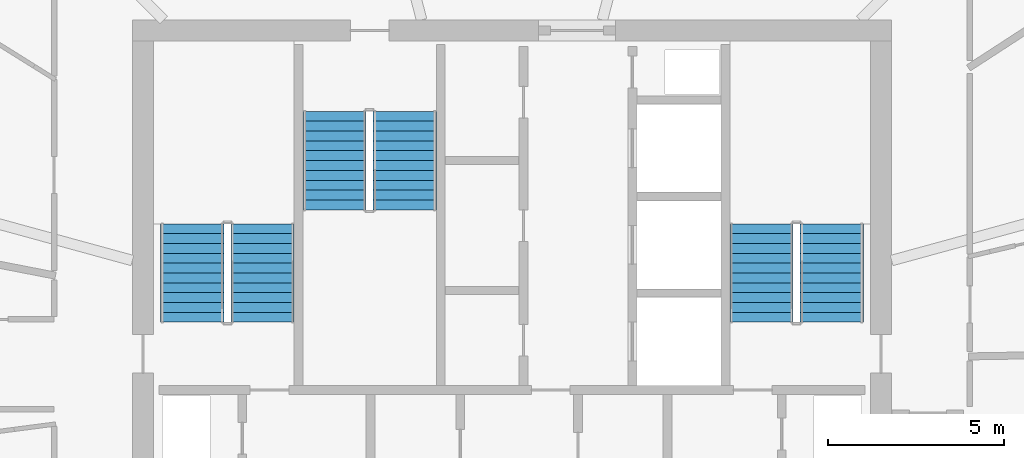
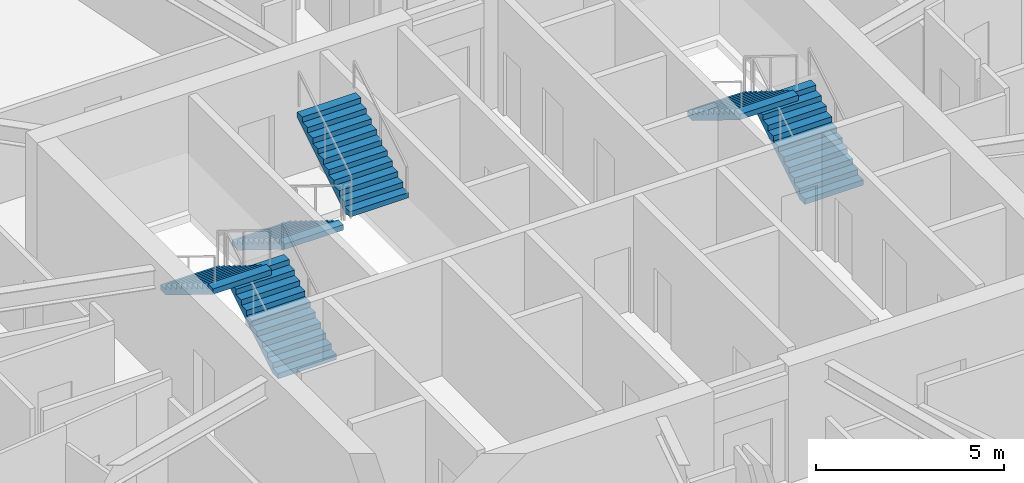
# One storey, part 25 of 29: 6 stair flights, 3 elements without a shape of their own.
"""IFC4 building model written with IfcOpenShell, lengths in metres."""

from ifc_helpers import new_model, si_unit, direction, frame, origin, place, context, subcontext, project, spatial, polyline, outline, extrude, material, type_object, element, aggregate, save


model = new_model("IFC4")

# Units and contexts
model_context = context("Model", 3, precision=1e-05, world=origin(), true_north=direction((0.0, 1.0)))
body_context = subcontext(model_context, "Body", "Model", "MODEL_VIEW")
ifc_project = project(units=[si_unit("LENGTHUNIT", "METRE"), si_unit("AREAUNIT", "SQUARE_METRE"), si_unit("VOLUMEUNIT", "CUBIC_METRE"), si_unit("PLANEANGLEUNIT", "RADIAN"), si_unit("MASSUNIT", "GRAM", prefix="KILO")], contexts=[model_context])

# Site, building, storey
site_placement = place(None, origin())
site = spatial("IfcSite", under=ifc_project, at=site_placement, CompositionType="ELEMENT")
building_placement = place(site_placement, origin())
building = spatial("IfcBuilding", under=site, at=building_placement, Name="Zuhravey Tower", CompositionType="ELEMENT")
storey_placement = place(building_placement, frame((0.0, 0.0, 292.0)))
storey = spatial("IfcBuildingStorey", under=building, at=storey_placement, Name="L74", CompositionType="ELEMENT", Elevation=292.0)

# Stair, stair flights
ifc_material = material(Name="Concrete C40/50", Category="concrete")
stair_type = type_object("IfcStairType", Name="Housing Storey Stair Assembly 3800", PredefinedType="HALF_TURN_STAIR", material=ifc_material)
stair_1_placement = place(storey_placement, origin())
stair_1 = element("IfcStair", 1, at=stair_1_placement, inside=storey, type_object=stair_type, Name="L74 Core Exit Stair ST1", PredefinedType="HALF_TURN_STAIR")
stair_flight_type = type_object("IfcStairFlightType", Name="Housing Storey Stair Flight 3800", PredefinedType="STRAIGHT", material=ifc_material)
stair_flight_1_placement = place(storey_placement, frame((28.89990234375, 33.199951171875, 0.0), z_axis=(0.0, 0.0, 1.0), x_axis=(0.0, 1.0, 0.0)))
stair_flight_1 = element("IfcStairFlight", 2, at=stair_flight_1_placement, type_object=stair_flight_type, Name="ST1 flight 1", NumberOfRisers=11, NumberOfTreads=10, PredefinedType="STRAIGHT", RiserHeight=0.172727273, TreadLength=0.28, context=body_context, shape_type="SweptSolid", body=[
    extrude(outline(polyline([(0.0, 0.0), (0.0, 0.172607421875), (0.280029296875, 0.172607421875), (0.280029296875, 0.345458984375), (0.56005859375, 0.345458984375), (0.56005859375, 0.51806640625), (0.840087890625, 0.51806640625), (0.840087890625, 0.69091796875), (1.1201171875, 0.69091796875), (1.1201171875, 0.863525390625), (1.39990234375, 0.863525390625), (1.39990234375, 1.036376953125), (1.679931640625, 1.036376953125), (1.679931640625, 1.208984375), (1.9599609375, 1.208984375), (1.9599609375, 1.3818359375), (2.239990234375, 1.3818359375), (2.239990234375, 1.554443359375), (2.52001953125, 1.554443359375), (2.52001953125, 1.727294921875), (2.800048828125, 1.727294921875), (2.800048828125, 1.89990234375), (2.800048828125, 1.551025390625), (0.285400390625, 0.0), (0.0, 0.0)])), frame((0.0, 0.89990234375, 0.0), z_axis=(0.0, -1.0, 0.0), x_axis=(1.0, 0.0, 0.0)), (0.0, 0.0, 1.0), 1.800048828125),
])
stair_flight_2_placement = place(storey_placement, frame((26.89990234375, 36.0, 1.89990234375), z_axis=(0.0, 0.0, 1.0), x_axis=(0.0, -1.0, 0.0)))
stair_flight_2 = element("IfcStairFlight", 3, at=stair_flight_2_placement, type_object=stair_flight_type, Name="ST1 flight 2", NumberOfRisers=11, NumberOfTreads=10, PredefinedType="STRAIGHT", RiserHeight=0.172727273, TreadLength=0.28, context=body_context, shape_type="SweptSolid", body=[
    extrude(outline(polyline([(0.0, 0.0), (0.0, 0.172607421875), (0.280029296875, 0.172607421875), (0.280029296875, 0.345458984375), (0.56005859375, 0.345458984375), (0.56005859375, 0.51806640625), (0.840087890625, 0.51806640625), (0.840087890625, 0.69091796875), (1.1201171875, 0.69091796875), (1.1201171875, 0.863525390625), (1.39990234375, 0.863525390625), (1.39990234375, 1.036376953125), (1.679931640625, 1.036376953125), (1.679931640625, 1.208984375), (1.9599609375, 1.208984375), (1.9599609375, 1.3818359375), (2.239990234375, 1.3818359375), (2.239990234375, 1.554443359375), (2.52001953125, 1.554443359375), (2.52001953125, 1.727294921875), (2.800048828125, 1.727294921875), (2.800048828125, 1.89990234375), (2.800048828125, 1.551025390625), (0.285400390625, 0.0), (0.0, 0.0)])), frame((0.0, 0.89990234375, 0.0), z_axis=(0.0, -1.0, 0.0), x_axis=(1.0, 0.0, 0.0)), (0.0, 0.0, 1.0), 1.800048828125),
])
aggregate(stair_1, [stair_flight_1, stair_flight_2])

stair_2_placement = place(storey_placement, origin())
stair_2 = element("IfcStair", 4, at=stair_2_placement, inside=storey, type_object=stair_type, Name="L74 Core Exit Stair ST2", PredefinedType="HALF_TURN_STAIR")
stair_flight_3_placement = place(storey_placement, frame((45.10009765625, 33.199951171875, 0.0), z_axis=(0.0, 0.0, 1.0), x_axis=(0.0, 1.0, 0.0)))
stair_flight_3 = element("IfcStairFlight", 5, at=stair_flight_3_placement, type_object=stair_flight_type, Name="ST2 flight 1", NumberOfRisers=11, NumberOfTreads=10, PredefinedType="STRAIGHT", RiserHeight=0.172727273, TreadLength=0.28, context=body_context, shape_type="SweptSolid", body=[
    extrude(outline(polyline([(0.0, 0.0), (0.0, 0.172607421875), (0.280029296875, 0.172607421875), (0.280029296875, 0.345458984375), (0.56005859375, 0.345458984375), (0.56005859375, 0.51806640625), (0.840087890625, 0.51806640625), (0.840087890625, 0.69091796875), (1.1201171875, 0.69091796875), (1.1201171875, 0.863525390625), (1.39990234375, 0.863525390625), (1.39990234375, 1.036376953125), (1.679931640625, 1.036376953125), (1.679931640625, 1.208984375), (1.9599609375, 1.208984375), (1.9599609375, 1.3818359375), (2.239990234375, 1.3818359375), (2.239990234375, 1.554443359375), (2.52001953125, 1.554443359375), (2.52001953125, 1.727294921875), (2.800048828125, 1.727294921875), (2.800048828125, 1.89990234375), (2.800048828125, 1.551025390625), (0.285400390625, 0.0), (0.0, 0.0)])), frame((0.0, 0.89990234375, 0.0), z_axis=(0.0, -1.0, 0.0), x_axis=(1.0, 0.0, 0.0)), (0.0, 0.0, 1.0), 1.800048828125),
])
stair_flight_4_placement = place(storey_placement, frame((43.10009765625, 36.0, 1.89990234375), z_axis=(0.0, 0.0, 1.0), x_axis=(0.0, -1.0, 0.0)))
stair_flight_4 = element("IfcStairFlight", 6, at=stair_flight_4_placement, type_object=stair_flight_type, Name="ST2 flight 2", NumberOfRisers=11, NumberOfTreads=10, PredefinedType="STRAIGHT", RiserHeight=0.172727273, TreadLength=0.28, context=body_context, shape_type="SweptSolid", body=[
    extrude(outline(polyline([(0.0, 0.0), (0.0, 0.172607421875), (0.280029296875, 0.172607421875), (0.280029296875, 0.345458984375), (0.56005859375, 0.345458984375), (0.56005859375, 0.51806640625), (0.840087890625, 0.51806640625), (0.840087890625, 0.69091796875), (1.1201171875, 0.69091796875), (1.1201171875, 0.863525390625), (1.39990234375, 0.863525390625), (1.39990234375, 1.036376953125), (1.679931640625, 1.036376953125), (1.679931640625, 1.208984375), (1.9599609375, 1.208984375), (1.9599609375, 1.3818359375), (2.239990234375, 1.3818359375), (2.239990234375, 1.554443359375), (2.52001953125, 1.554443359375), (2.52001953125, 1.727294921875), (2.800048828125, 1.727294921875), (2.800048828125, 1.89990234375), (2.800048828125, 1.551025390625), (0.285400390625, 0.0), (0.0, 0.0)])), frame((0.0, 0.89990234375, 0.0), z_axis=(0.0, -1.0, 0.0), x_axis=(1.0, 0.0, 0.0)), (0.0, 0.0, 1.0), 1.800048828125),
])
aggregate(stair_2, [stair_flight_3, stair_flight_4])

stair_3_placement = place(storey_placement, origin())
stair_3 = element("IfcStair", 7, at=stair_3_placement, inside=storey, type_object=stair_type, Name="L74 Core Exit Stair ST3", PredefinedType="HALF_TURN_STAIR")
stair_flight_5_placement = place(storey_placement, frame((30.949951171875, 39.199951171875, 0.0), z_axis=(0.0, 0.0, 1.0), x_axis=(0.0, -1.0, 0.0)))
stair_flight_5 = element("IfcStairFlight", 8, at=stair_flight_5_placement, type_object=stair_flight_type, Name="ST3 flight 1", NumberOfRisers=11, NumberOfTreads=10, PredefinedType="STRAIGHT", RiserHeight=0.172727273, TreadLength=0.28, context=body_context, shape_type="SweptSolid", body=[
    extrude(outline(polyline([(0.0, 0.0), (0.0, 0.172607421875), (0.280029296875, 0.172607421875), (0.280029296875, 0.345458984375), (0.56005859375, 0.345458984375), (0.56005859375, 0.51806640625), (0.840087890625, 0.51806640625), (0.840087890625, 0.69091796875), (1.1201171875, 0.69091796875), (1.1201171875, 0.863525390625), (1.39990234375, 0.863525390625), (1.39990234375, 1.036376953125), (1.679931640625, 1.036376953125), (1.679931640625, 1.208984375), (1.9599609375, 1.208984375), (1.9599609375, 1.3818359375), (2.239990234375, 1.3818359375), (2.239990234375, 1.554443359375), (2.52001953125, 1.554443359375), (2.52001953125, 1.727294921875), (2.800048828125, 1.727294921875), (2.800048828125, 1.89990234375), (2.800048828125, 1.551025390625), (0.285400390625, 0.0), (0.0, 0.0)])), frame((0.0, 0.89990234375, 0.0), z_axis=(0.0, -1.0, 0.0), x_axis=(1.0, 0.0, 0.0)), (0.0, 0.0, 1.0), 1.800048828125),
])
stair_flight_6_placement = place(storey_placement, frame((32.949951171875, 36.39990234375, 1.89990234375), z_axis=(0.0, 0.0, 1.0), x_axis=(0.0, 1.0, 0.0)))
stair_flight_6 = element("IfcStairFlight", 9, at=stair_flight_6_placement, type_object=stair_flight_type, Name="ST3 flight 2", NumberOfRisers=11, NumberOfTreads=10, PredefinedType="STRAIGHT", RiserHeight=0.172727273, TreadLength=0.28, context=body_context, shape_type="SweptSolid", body=[
    extrude(outline(polyline([(0.0, 0.0), (0.0, 0.172607421875), (0.280029296875, 0.172607421875), (0.280029296875, 0.345458984375), (0.56005859375, 0.345458984375), (0.56005859375, 0.51806640625), (0.840087890625, 0.51806640625), (0.840087890625, 0.69091796875), (1.1201171875, 0.69091796875), (1.1201171875, 0.863525390625), (1.39990234375, 0.863525390625), (1.39990234375, 1.036376953125), (1.679931640625, 1.036376953125), (1.679931640625, 1.208984375), (1.9599609375, 1.208984375), (1.9599609375, 1.3818359375), (2.239990234375, 1.3818359375), (2.239990234375, 1.554443359375), (2.52001953125, 1.554443359375), (2.52001953125, 1.727294921875), (2.800048828125, 1.727294921875), (2.800048828125, 1.89990234375), (2.800048828125, 1.551025390625), (0.285400390625, 0.0), (0.0, 0.0)])), frame((0.0, 0.89990234375, 0.0), z_axis=(0.0, -1.0, 0.0), x_axis=(1.0, 0.0, 0.0)), (0.0, 0.0, 1.0), 1.800048828125),
])
aggregate(stair_3, [stair_flight_5, stair_flight_6])

save(model, "model.ifc")
